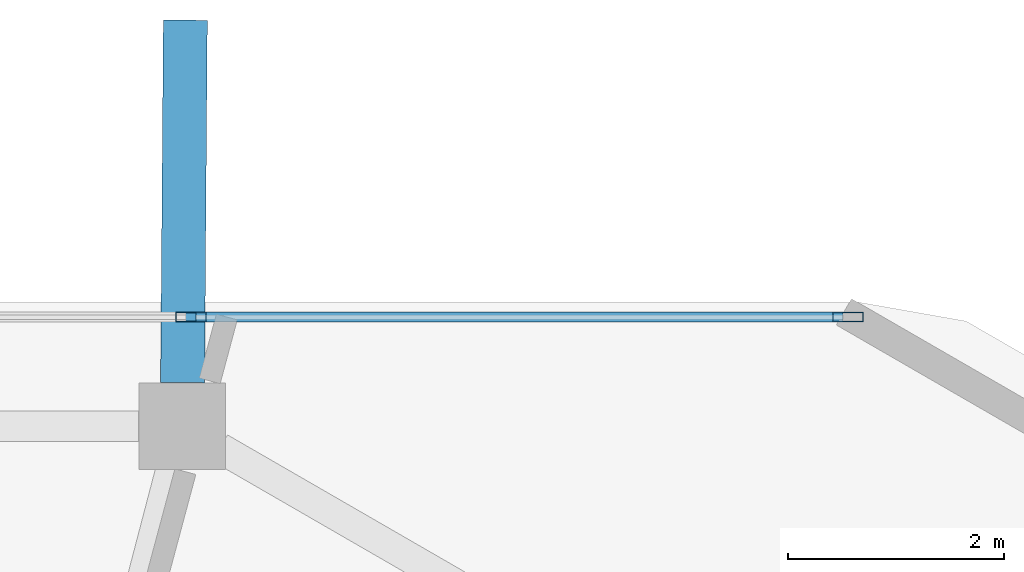
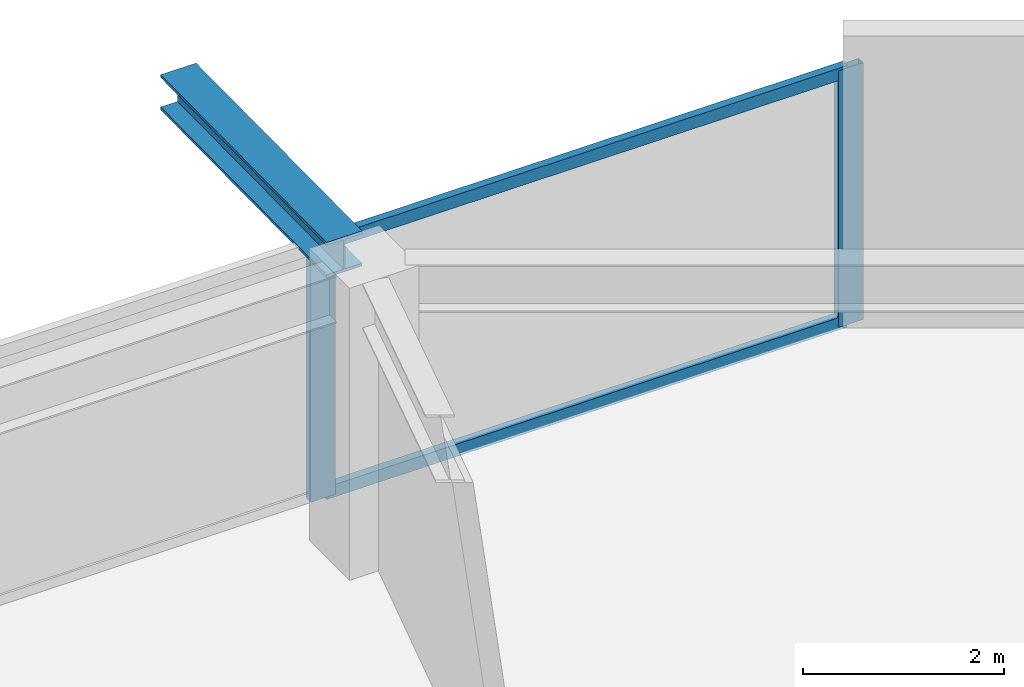
# One storey, part 12 of 21: 4 members, 1 beam, 1 element without a shape of its own.
"""IFC4 building model written with IfcOpenShell, lengths in metres."""

from ifc_helpers import new_model, si_unit, direction, frame, origin, origin_2d, place, context, subcontext, project, spatial, hollow_rectangle, i_section, extrude, material, material_profile, profile_set, type_object, element, aggregate, save


model = new_model("IFC4")

# Units and contexts
model_context = context("Model", 3, precision=1e-05, world=origin(), true_north=direction((0.0, 1.0)))
body_context = subcontext(model_context, "Body", "Model", "MODEL_VIEW")
ifc_project = project(units=[si_unit("LENGTHUNIT", "METRE"), si_unit("AREAUNIT", "SQUARE_METRE"), si_unit("VOLUMEUNIT", "CUBIC_METRE"), si_unit("PLANEANGLEUNIT", "RADIAN"), si_unit("MASSUNIT", "GRAM", prefix="KILO")], contexts=[model_context])

# Site, building, storey
site_placement = place(None, origin())
site = spatial("IfcSite", under=ifc_project, at=site_placement, CompositionType="ELEMENT")
building_placement = place(site_placement, origin())
building = spatial("IfcBuilding", under=site, at=building_placement, Name="Zuhravey Tower", CompositionType="ELEMENT")
storey_placement = place(building_placement, frame((0.0, 0.0, 319.60009765625)))
storey = spatial("IfcBuildingStorey", under=building, at=storey_placement, Name="L81", CompositionType="ELEMENT", Elevation=319.60009765625)

# Curtain wall, members
ifc_material_1 = material(Name="Thermally broken anodised aluminium", Category="aluminium")
curtain_wall_type = type_object("IfcCurtainWallType", Name="Zone 3-4 High-Rise Curtain Wall CW4", PredefinedType="NOTDEFINED", material=ifc_material_1)
curtain_wall_placement = place(storey_placement, origin())
curtain_wall = element("IfcCurtainWall", 1, at=curtain_wall_placement, inside=storey, type_object=curtain_wall_type, Name="L81 CW4 CW-L81-F2-1", PredefinedType="NOTDEFINED")
ifc_material_2 = material(Name="Anodised aluminium", Category="aluminium")
ifc_material_profile_1 = material_profile(ifc_material_2, hollow_rectangle(XDim=0.090087890625, YDim=0.284912109375, WallThickness=0.0048828125, at=origin_2d()), Name="ALU-RHS-90x285x5")
ifc_profile_set_1 = profile_set([ifc_material_profile_1], Name="Anodised aluminium")
member_type_1 = type_object("IfcMemberType", Name="Curtain-Wall Mullion 90x180", PredefinedType="MULLION", material=ifc_profile_set_1)
member_1_placement = place(storey_placement, frame((42.11962890625, 56.07421875, 0.0), z_axis=(0.0, 0.0, 1.0), x_axis=(0.0, 1.0, 0.0)))
member_1 = element("IfcMember", 2, at=member_1_placement, type_object=member_type_1, Name="CW4 mullion 4", PredefinedType="MULLION", context=body_context, shape_type="SweptSolid", body=[
    extrude(hollow_rectangle(XDim=0.090087890625, YDim=0.284912109375, WallThickness=0.0048828125, at=origin_2d()), origin(), (0.0, 0.0, 1.0), 3.121826171875),
])
member_2_placement = place(storey_placement, frame((48.1943359375, 56.07421875, 0.0), z_axis=(0.0, 0.0, 1.0), x_axis=(0.0, 1.0, 0.0)))
member_2 = element("IfcMember", 3, at=member_2_placement, type_object=member_type_1, Name="CW4 mullion 5", PredefinedType="MULLION", context=body_context, shape_type="SweptSolid", body=[
    extrude(hollow_rectangle(XDim=0.090087890625, YDim=0.284912109375, WallThickness=0.0048828125, at=origin_2d()), origin(), (0.0, 0.0, 1.0), 3.121826171875),
])
ifc_material_profile_2 = material_profile(ifc_material_2, hollow_rectangle(XDim=0.090087890625, YDim=0.14990234375, WallThickness=0.0048828125, at=origin_2d()), Name="ALU-RHS-90x150x5")
ifc_profile_set_2 = profile_set([ifc_material_profile_2], Name="Anodised aluminium")
member_type_2 = type_object("IfcMemberType", Name="Curtain-Wall Transom 90x150", PredefinedType="USERDEFINED", material=ifc_profile_set_2)
member_3_placement = place(storey_placement, frame((42.16455078125, 56.07421875, 0.044921875), z_axis=(1.0, 0.0, 0.0), x_axis=(0.0, 1.0, 0.0)))
member_3 = element("IfcMember", 4, at=member_3_placement, type_object=member_type_2, Name="CW4 transom 4.1", ObjectType="TRANSOM", PredefinedType="USERDEFINED", context=body_context, shape_type="SweptSolid", body=[
    extrude(hollow_rectangle(XDim=0.090087890625, YDim=0.14990234375, WallThickness=0.0048828125, at=origin_2d()), origin(), (0.0, 0.0, 1.0), 5.98486328125),
])
member_4_placement = place(storey_placement, frame((42.16455078125, 56.07421875, 3.076904296875), z_axis=(1.0, 0.0, 0.0), x_axis=(0.0, 1.0, 0.0)))
member_4 = element("IfcMember", 5, at=member_4_placement, type_object=member_type_2, Name="CW4 transom 4.2", ObjectType="TRANSOM", PredefinedType="USERDEFINED", context=body_context, shape_type="SweptSolid", body=[
    extrude(hollow_rectangle(XDim=0.090087890625, YDim=0.14990234375, WallThickness=0.0048828125, at=origin_2d()), origin(), (0.0, 0.0, 1.0), 5.98486328125),
])
aggregate(curtain_wall, [member_1, member_2, member_3, member_4])

# Beam
ifc_material_3 = material(Name="Steel SM460", Category="steel")
ifc_material_profile_3 = material_profile(ifc_material_3, i_section(OverallWidth=0.406982421875, OverallDepth=0.427978515625, WebThickness=0.02001953125, FlangeThickness=0.034912109375, at=origin_2d()), Name="H-428x407x20x35")
ifc_profile_set_3 = profile_set([ifc_material_profile_3], Name="Steel SM460")
beam_type = type_object("IfcBeamType", Name="Exoskeleton Node Tie Beam H428x407", PredefinedType="BEAM", material=ifc_profile_set_3)
beam_placement = place(storey_placement, frame((42.041748046875, 55.468017578125, 3.3359375), z_axis=(0.007649492054, 0.999970742208, 0.0), x_axis=(-0.999970742208, 0.007649492054, 0.0)))
element("IfcBeam", 6, at=beam_placement, inside=storey, type_object=beam_type, Name="L81 Exoskeleton Node Tie NT1-03", PredefinedType="BEAM", context=body_context, shape_type="SweptSolid", body=[
    extrude(i_section(OverallWidth=0.406982421875, OverallDepth=0.427978515625, WebThickness=0.02001953125, FlangeThickness=0.034912109375, at=origin_2d()), origin(), (0.0, 0.0, 1.0), 3.35107421875),
])

save(model, "model.ifc")
